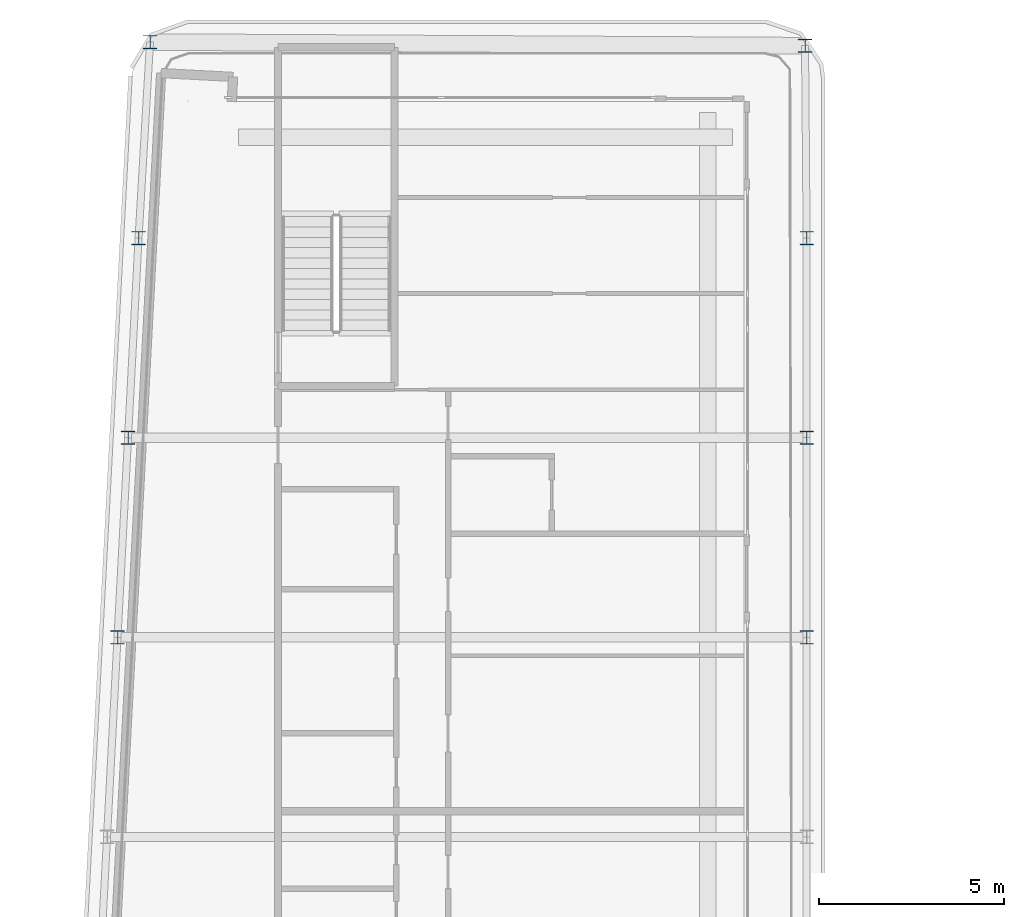
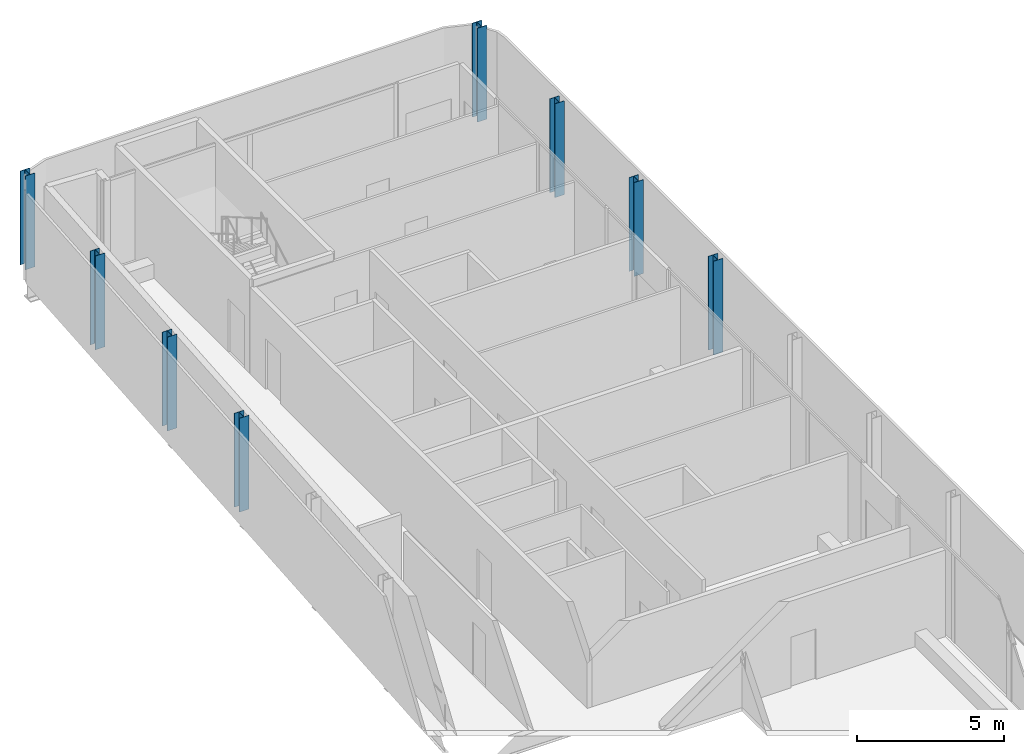
# One storey, part 3 of 17: 8 columns.
"""IFC4 building model written with IfcOpenShell, lengths in metres."""

from ifc_helpers import new_model, si_unit, direction, frame, origin, origin_2d, place, context, subcontext, project, spatial, i_section, extrude, material, material_profile, profile_set, type_object, element, save


model = new_model("IFC4")

# Units and contexts
model_context = context("Model", 3, precision=1e-05, world=origin(), true_north=direction((0.0, 1.0)))
body_context = subcontext(model_context, "Body", "Model", "MODEL_VIEW")
ifc_project = project(units=[si_unit("LENGTHUNIT", "METRE"), si_unit("AREAUNIT", "SQUARE_METRE"), si_unit("VOLUMEUNIT", "CUBIC_METRE"), si_unit("PLANEANGLEUNIT", "RADIAN"), si_unit("MASSUNIT", "GRAM", prefix="KILO")], contexts=[model_context])

# Site, building, storey
site_placement = place(None, origin())
site = spatial("IfcSite", under=ifc_project, at=site_placement, CompositionType="ELEMENT")
building_placement = place(site_placement, origin())
building = spatial("IfcBuilding", under=site, at=building_placement, Name="Kheshtan School and Residences Tower", CompositionType="ELEMENT")
storey_placement = place(building_placement, frame((0.0, 0.0, 346.10009765625)))
storey = spatial("IfcBuildingStorey", under=building, at=storey_placement, Name="L81", CompositionType="ELEMENT", Elevation=346.10009765625)

# Columns
ifc_material = material(Name="Steel ASTM A992 Grade 50", Category="steel")
ifc_material_profile = material_profile(ifc_material, i_section(OverallWidth=0.37109375, OverallDepth=0.364013671875, WebThickness=0.01318359375, FlangeThickness=0.021728515625, FilletRadius=0.010986328125, at=origin_2d()), Name="W360x162")
ifc_profile_set = profile_set([ifc_material_profile], Name="Steel ASTM A992 Grade 50")
column_type = type_object("IfcColumnType", Name="Column C6 W360x162 ASTM A992 Grade 50", PredefinedType="COLUMN", material=ifc_profile_set)
for number, where, z_axis, x_axis, name in (
    (1, (28.9580078125, 72.60009765625, 0.0), (0.0, 0.0, 1.0), (1.0, 0.0, 0.0), "Column C086"),
    (2, (47.60009765625, 72.60009765625, 0.0), (0.0, 0.0, 1.0), (1.0, 0.0, 0.0), "Column C087"),
    (3, (29.242919921875, 78.0, 0.0), (0.0, 0.0, 1.0), (1.0, 0.0, 0.0), "Column C088"),
    (4, (47.60009765625, 78.0, 0.0), (0.0, 0.0, 1.0), (1.0, 0.0, 0.0), "Column C089"),
    (5, (29.527099609375, 83.39990234375, 0.0), (0.0, 0.0, 1.0), (1.0, 0.0, 0.0), "Column C090"),
    (6, (47.60009765625, 83.39990234375, 0.0), (0.0, 0.0, 1.0), (1.0, 0.0, 0.0), "Column C091"),
    (7, (47.555908203125, 88.60498046875, 0.0), (0.0, 0.0, 1.0), (1.0, 0.0, 0.0), "Column C094"),
    (8, (29.8369140625, 88.7041015625, 0.0), (0.0, 0.0, 1.0), (1.0, 0.0, 0.0), "Column C095"),
):
    element("IfcColumn", number, at=place(storey_placement, frame(where, z_axis=z_axis, x_axis=x_axis)), inside=storey, type_object=column_type, Name=name, PredefinedType="COLUMN", context=body_context, shape_type="SweptSolid", body=[
        extrude(i_section(OverallWidth=0.37109375, OverallDepth=0.364013671875, WebThickness=0.01318359375, FlangeThickness=0.021728515625, FilletRadius=0.010986328125, at=origin_2d()), origin(), (0.0, 0.0, 1.0), 3.89990234375),
    ])

save(model, "model.ifc")
